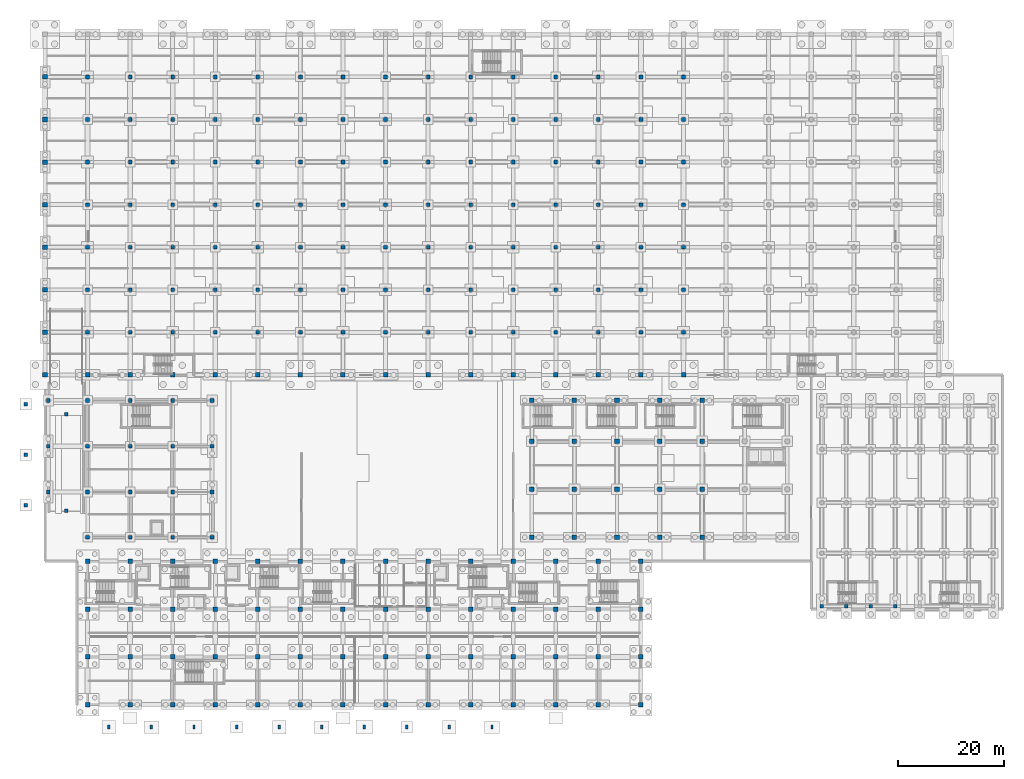
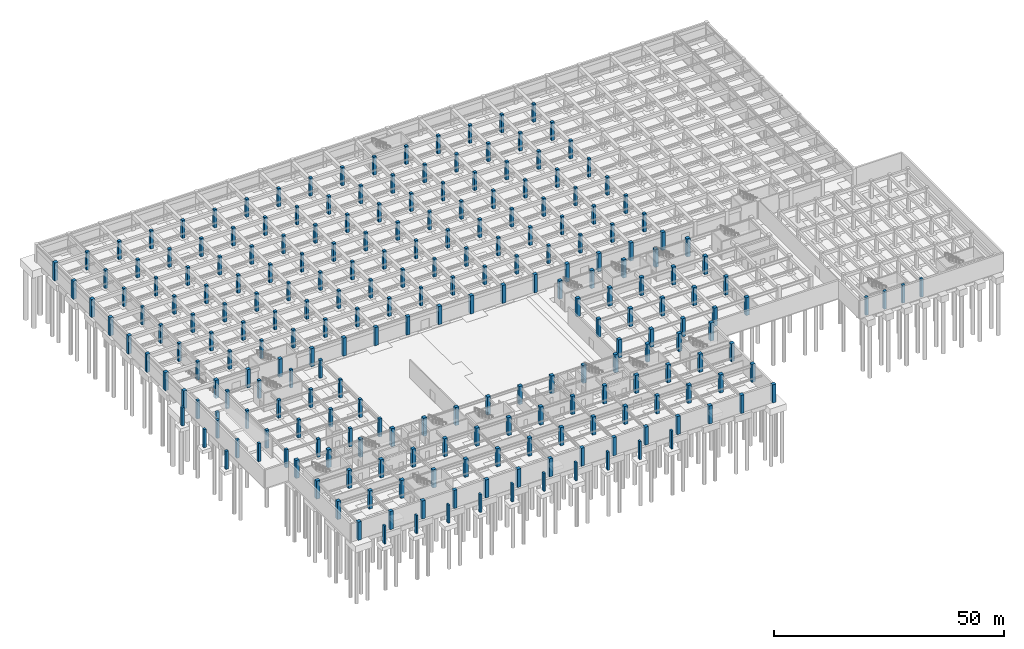
# One storey, part 17 of 48: 242 columns.
"""IFC4 building model written with IfcOpenShell, lengths in metres."""

from ifc_helpers import new_model, si_unit, direction, frame, origin, origin_2d, place, context, subcontext, project, spatial, rectangle, extrude, material, material_profile, profile_set, type_object, element, save


model = new_model("IFC4")

# Units and contexts
model_context = context("Model", 3, precision=1e-05, world=origin(), true_north=direction((0.0, 1.0)))
body_context = subcontext(model_context, "Body", "Model", "MODEL_VIEW")
ifc_project = project(units=[si_unit("LENGTHUNIT", "METRE"), si_unit("AREAUNIT", "SQUARE_METRE"), si_unit("VOLUMEUNIT", "CUBIC_METRE"), si_unit("PLANEANGLEUNIT", "RADIAN"), si_unit("MASSUNIT", "GRAM", prefix="KILO")], contexts=[model_context])

# Site, building, storey
site_placement = place(None, origin())
site = spatial("IfcSite", under=ifc_project, at=site_placement, CompositionType="ELEMENT")
building_placement = place(site_placement, origin())
building = spatial("IfcBuilding", under=site, at=building_placement, Name="Tlacozan Convention Centre", CompositionType="ELEMENT")
storey_placement = place(building_placement, frame((0.0, 0.0, -4.800048828125)))
storey = spatial("IfcBuildingStorey", under=building, at=storey_placement, Name="B01", CompositionType="ELEMENT", Elevation=-4.800048828125)

# Columns
ifc_material = material(Name="Concrete C40/50", Category="concrete")
ifc_material_profile_1 = material_profile(ifc_material, rectangle(XDim=0.64990234375, YDim=0.64990234375, at=origin_2d()), Name="RC 650x650")
ifc_profile_set_1 = profile_set([ifc_material_profile_1], Name="Concrete C40/50")
column_type_1 = type_object("IfcColumnType", Name="Column Square RC 650x650", PredefinedType="COLUMN", material=ifc_profile_set_1)
for number, where, z_axis, x_axis, name in (
    (1, (146.0, 18.5, 0.0), (0.0, 0.0, 1.0), (1.0, 0.0, 0.0), "B01 Column 721"),
    (2, (150.60009765625, 18.5, 0.0), (0.0, 0.0, 1.0), (1.0, 0.0, 0.0), "B01 Column 732"),
    (3, (155.199951171875, 18.5, 0.0), (0.0, 0.0, 1.0), (1.0, 0.0, 0.0), "B01 Column 756"),
    (4, (159.800048828125, 18.5, 0.0), (0.0, 0.0, 1.0), (1.0, 0.0, 0.0), "B01 Column 767"),
    (5, (4.0, 36.5, 0.0), (0.0, 0.0, 1.0), (1.0, 0.0, 0.0), "B01 Vehicle Ramp Top Support Pier"),
):
    element("IfcColumn", number, at=place(storey_placement, frame(where, z_axis=z_axis, x_axis=x_axis)), inside=storey, type_object=column_type_1, Name=name, PredefinedType="COLUMN", context=body_context, shape_type="SweptSolid", body=[
        extrude(rectangle(XDim=0.64990234375, YDim=0.64990234375, at=origin_2d()), origin(), (0.0, 0.0, 1.0), 4.800048828125),
    ])
column_placement = place(storey_placement, frame((4.0, 54.60009765625, 0.0), z_axis=(0.0, 0.0, 1.0), x_axis=(1.0, 0.0, 0.0)))
element("IfcColumn", 6, at=column_placement, inside=storey, type_object=column_type_1, Name="B01 Vehicle Ramp Mid-Landing Support Pier", PredefinedType="COLUMN", context=body_context, shape_type="SweptSolid", body=[
    extrude(rectangle(XDim=0.64990234375, YDim=0.64990234375, at=origin_2d()), origin(), (0.0, 0.0, 1.0), 2.150146484375),
])
for number, where, z_axis, x_axis, name in (
    (7, (-3.60009765625, 37.5, 0.0), (0.0, 0.0, 1.0), (1.0, 0.0, 0.0), "Dock Apron Pier 1"),
    (8, (-3.60009765625, 47.0, 0.0), (0.0, 0.0, 1.0), (1.0, 0.0, 0.0), "Dock Apron Pier 2"),
    (9, (-3.60009765625, 56.5, 0.0), (0.0, 0.0, 1.0), (1.0, 0.0, 0.0), "Dock Apron Pier 3"),
):
    element("IfcColumn", number, at=place(storey_placement, frame(where, z_axis=z_axis, x_axis=x_axis)), inside=storey, type_object=column_type_1, Name=name, PredefinedType="COLUMN", context=body_context, shape_type="SweptSolid", body=[
        extrude(rectangle(XDim=0.64990234375, YDim=0.64990234375, at=origin_2d()), origin(), (0.0, 0.0, 1.0), 4.800048828125),
    ])
ifc_material_profile_2 = material_profile(ifc_material, rectangle(XDim=0.699951171875, YDim=0.699951171875, at=origin_2d()), Name="RC 700x700")
ifc_profile_set_2 = profile_set([ifc_material_profile_2], Name="Concrete C40/50")
column_type_2 = type_object("IfcColumnType", Name="Column Square RC 700x700", PredefinedType="COLUMN", material=ifc_profile_set_2)
for number, where, z_axis, x_axis, name in (
    (10, (0.60009765625, 40.0, 0.0), (0.0, 0.0, 1.0), (1.0, 0.0, 0.0), "B01 Column 28"),
    (11, (0.60009765625, 48.60009765625, 0.0), (0.0, 0.0, 1.0), (1.0, 0.0, 0.0), "B01 Column 31"),
    (12, (0.60009765625, 57.199951171875, 0.0), (0.0, 0.0, 1.0), (1.0, 0.0, 0.0), "B01 Column 34"),
    (13, (8.0, 31.5, 0.0), (0.0, 0.0, 1.0), (1.0, 0.0, 0.0), "B01 Column 61"),
    (14, (8.0, 40.0, 0.0), (0.0, 0.0, 1.0), (1.0, 0.0, 0.0), "B01 Column 64"),
    (15, (8.0, 48.60009765625, 0.0), (0.0, 0.0, 1.0), (1.0, 0.0, 0.0), "B01 Column 67"),
    (16, (8.0, 57.199951171875, 0.0), (0.0, 0.0, 1.0), (1.0, 0.0, 0.0), "B01 Column 70"),
    (17, (8.0, 70.0, 0.0), (0.0, 0.0, 1.0), (1.0, 0.0, 0.0), "B01 Column 76"),
    (18, (8.0, 78.0, 0.0), (0.0, 0.0, 1.0), (1.0, 0.0, 0.0), "B01 Column 77"),
    (19, (8.0, 86.0, 0.0), (0.0, 0.0, 1.0), (1.0, 0.0, 0.0), "B01 Column 78"),
    (20, (8.0, 94.0, 0.0), (0.0, 0.0, 1.0), (1.0, 0.0, 0.0), "B01 Column 79"),
    (21, (8.0, 102.0, 0.0), (0.0, 0.0, 1.0), (1.0, 0.0, 0.0), "B01 Column 80"),
    (22, (8.0, 110.0, 0.0), (0.0, 0.0, 1.0), (1.0, 0.0, 0.0), "B01 Column 81"),
    (23, (8.0, 118.0, 0.0), (0.0, 0.0, 1.0), (1.0, 0.0, 0.0), "B01 Column 82"),
    (24, (16.0, 31.5, 0.0), (0.0, 0.0, 1.0), (1.0, 0.0, 0.0), "B01 Column 110"),
    (25, (16.0, 40.0, 0.0), (0.0, 0.0, 1.0), (1.0, 0.0, 0.0), "B01 Column 113"),
    (26, (16.0, 48.60009765625, 0.0), (0.0, 0.0, 1.0), (1.0, 0.0, 0.0), "B01 Column 116"),
    (27, (16.0, 57.199951171875, 0.0), (0.0, 0.0, 1.0), (1.0, 0.0, 0.0), "B01 Column 119"),
    (28, (16.0, 70.0, 0.0), (0.0, 0.0, 1.0), (1.0, 0.0, 0.0), "B01 Column 125"),
    (29, (16.0, 78.0, 0.0), (0.0, 0.0, 1.0), (1.0, 0.0, 0.0), "B01 Column 126"),
    (30, (16.0, 86.0, 0.0), (0.0, 0.0, 1.0), (1.0, 0.0, 0.0), "B01 Column 127"),
    (31, (16.0, 94.0, 0.0), (0.0, 0.0, 1.0), (1.0, 0.0, 0.0), "B01 Column 128"),
    (32, (16.0, 102.0, 0.0), (0.0, 0.0, 1.0), (1.0, 0.0, 0.0), "B01 Column 129"),
    (33, (16.0, 110.0, 0.0), (0.0, 0.0, 1.0), (1.0, 0.0, 0.0), "B01 Column 130"),
    (34, (16.0, 118.0, 0.0), (0.0, 0.0, 1.0), (1.0, 0.0, 0.0), "B01 Column 131"),
    (35, (24.0, 31.5, 0.0), (0.0, 0.0, 1.0), (1.0, 0.0, 0.0), "B01 Column 159"),
    (36, (24.0, 40.0, 0.0), (0.0, 0.0, 1.0), (1.0, 0.0, 0.0), "B01 Column 162"),
    (37, (24.0, 48.60009765625, 0.0), (0.0, 0.0, 1.0), (1.0, 0.0, 0.0), "B01 Column 165"),
    (38, (24.0, 57.199951171875, 0.0), (0.0, 0.0, 1.0), (1.0, 0.0, 0.0), "B01 Column 168"),
    (39, (24.0, 70.0, 0.0), (0.0, 0.0, 1.0), (1.0, 0.0, 0.0), "B01 Column 174"),
    (40, (24.0, 78.0, 0.0), (0.0, 0.0, 1.0), (1.0, 0.0, 0.0), "B01 Column 175"),
    (41, (24.0, 86.0, 0.0), (0.0, 0.0, 1.0), (1.0, 0.0, 0.0), "B01 Column 176"),
    (42, (24.0, 94.0, 0.0), (0.0, 0.0, 1.0), (1.0, 0.0, 0.0), "B01 Column 177"),
    (43, (24.0, 102.0, 0.0), (0.0, 0.0, 1.0), (1.0, 0.0, 0.0), "B01 Column 178"),
    (44, (24.0, 110.0, 0.0), (0.0, 0.0, 1.0), (1.0, 0.0, 0.0), "B01 Column 179"),
    (45, (24.0, 118.0, 0.0), (0.0, 0.0, 1.0), (1.0, 0.0, 0.0), "B01 Column 180"),
    (46, (31.39990234375, 31.5, 0.0), (0.0, 0.0, 1.0), (1.0, 0.0, 0.0), "B01 Column 184"),
    (47, (31.39990234375, 40.0, 0.0), (0.0, 0.0, 1.0), (1.0, 0.0, 0.0), "B01 Column 187"),
    (48, (31.39990234375, 48.60009765625, 0.0), (0.0, 0.0, 1.0), (1.0, 0.0, 0.0), "B01 Column 190"),
    (49, (31.39990234375, 57.199951171875, 0.0), (0.0, 0.0, 1.0), (1.0, 0.0, 0.0), "B01 Column 193"),
    (50, (32.0, 70.0, 0.0), (0.0, 0.0, 1.0), (1.0, 0.0, 0.0), "B01 Column 223"),
    (51, (32.0, 78.0, 0.0), (0.0, 0.0, 1.0), (1.0, 0.0, 0.0), "B01 Column 224"),
    (52, (32.0, 86.0, 0.0), (0.0, 0.0, 1.0), (1.0, 0.0, 0.0), "B01 Column 225"),
    (53, (32.0, 94.0, 0.0), (0.0, 0.0, 1.0), (1.0, 0.0, 0.0), "B01 Column 226"),
    (54, (32.0, 102.0, 0.0), (0.0, 0.0, 1.0), (1.0, 0.0, 0.0), "B01 Column 227"),
    (55, (32.0, 110.0, 0.0), (0.0, 0.0, 1.0), (1.0, 0.0, 0.0), "B01 Column 228"),
    (56, (32.0, 118.0, 0.0), (0.0, 0.0, 1.0), (1.0, 0.0, 0.0), "B01 Column 229"),
    (57, (40.0, 70.0, 0.0), (0.0, 0.0, 1.0), (1.0, 0.0, 0.0), "B01 Column 260"),
    (58, (40.0, 78.0, 0.0), (0.0, 0.0, 1.0), (1.0, 0.0, 0.0), "B01 Column 261"),
    (59, (40.0, 86.0, 0.0), (0.0, 0.0, 1.0), (1.0, 0.0, 0.0), "B01 Column 262"),
    (60, (40.0, 94.0, 0.0), (0.0, 0.0, 1.0), (1.0, 0.0, 0.0), "B01 Column 263"),
    (61, (40.0, 102.0, 0.0), (0.0, 0.0, 1.0), (1.0, 0.0, 0.0), "B01 Column 264"),
    (62, (40.0, 110.0, 0.0), (0.0, 0.0, 1.0), (1.0, 0.0, 0.0), "B01 Column 265"),
    (63, (40.0, 118.0, 0.0), (0.0, 0.0, 1.0), (1.0, 0.0, 0.0), "B01 Column 266"),
    (64, (48.0, 70.0, 0.0), (0.0, 0.0, 1.0), (1.0, 0.0, 0.0), "B01 Column 297"),
    (65, (48.0, 78.0, 0.0), (0.0, 0.0, 1.0), (1.0, 0.0, 0.0), "B01 Column 298"),
    (66, (48.0, 86.0, 0.0), (0.0, 0.0, 1.0), (1.0, 0.0, 0.0), "B01 Column 299"),
    (67, (48.0, 94.0, 0.0), (0.0, 0.0, 1.0), (1.0, 0.0, 0.0), "B01 Column 300"),
    (68, (48.0, 102.0, 0.0), (0.0, 0.0, 1.0), (1.0, 0.0, 0.0), "B01 Column 301"),
    (69, (48.0, 110.0, 0.0), (0.0, 0.0, 1.0), (1.0, 0.0, 0.0), "B01 Column 302"),
    (70, (48.0, 118.0, 0.0), (0.0, 0.0, 1.0), (1.0, 0.0, 0.0), "B01 Column 303"),
    (71, (56.0, 70.0, 0.0), (0.0, 0.0, 1.0), (1.0, 0.0, 0.0), "B01 Column 334"),
    (72, (56.0, 78.0, 0.0), (0.0, 0.0, 1.0), (1.0, 0.0, 0.0), "B01 Column 335"),
    (73, (56.0, 86.0, 0.0), (0.0, 0.0, 1.0), (1.0, 0.0, 0.0), "B01 Column 336"),
    (74, (56.0, 94.0, 0.0), (0.0, 0.0, 1.0), (1.0, 0.0, 0.0), "B01 Column 337"),
    (75, (56.0, 102.0, 0.0), (0.0, 0.0, 1.0), (1.0, 0.0, 0.0), "B01 Column 338"),
    (76, (56.0, 110.0, 0.0), (0.0, 0.0, 1.0), (1.0, 0.0, 0.0), "B01 Column 339"),
    (77, (56.0, 118.0, 0.0), (0.0, 0.0, 1.0), (1.0, 0.0, 0.0), "B01 Column 340"),
    (78, (64.0, 70.0, 0.0), (0.0, 0.0, 1.0), (1.0, 0.0, 0.0), "B01 Column 371"),
    (79, (64.0, 78.0, 0.0), (0.0, 0.0, 1.0), (1.0, 0.0, 0.0), "B01 Column 372"),
    (80, (64.0, 86.0, 0.0), (0.0, 0.0, 1.0), (1.0, 0.0, 0.0), "B01 Column 373"),
    (81, (64.0, 94.0, 0.0), (0.0, 0.0, 1.0), (1.0, 0.0, 0.0), "B01 Column 374"),
    (82, (64.0, 102.0, 0.0), (0.0, 0.0, 1.0), (1.0, 0.0, 0.0), "B01 Column 375"),
    (83, (64.0, 110.0, 0.0), (0.0, 0.0, 1.0), (1.0, 0.0, 0.0), "B01 Column 376"),
    (84, (64.0, 118.0, 0.0), (0.0, 0.0, 1.0), (1.0, 0.0, 0.0), "B01 Column 377"),
    (85, (72.0, 70.0, 0.0), (0.0, 0.0, 1.0), (1.0, 0.0, 0.0), "B01 Column 408"),
    (86, (72.0, 78.0, 0.0), (0.0, 0.0, 1.0), (1.0, 0.0, 0.0), "B01 Column 409"),
    (87, (72.0, 86.0, 0.0), (0.0, 0.0, 1.0), (1.0, 0.0, 0.0), "B01 Column 410"),
    (88, (72.0, 94.0, 0.0), (0.0, 0.0, 1.0), (1.0, 0.0, 0.0), "B01 Column 411"),
    (89, (72.0, 102.0, 0.0), (0.0, 0.0, 1.0), (1.0, 0.0, 0.0), "B01 Column 412"),
    (90, (72.0, 110.0, 0.0), (0.0, 0.0, 1.0), (1.0, 0.0, 0.0), "B01 Column 413"),
    (91, (72.0, 118.0, 0.0), (0.0, 0.0, 1.0), (1.0, 0.0, 0.0), "B01 Column 414"),
    (92, (80.0, 70.0, 0.0), (0.0, 0.0, 1.0), (1.0, 0.0, 0.0), "B01 Column 445"),
    (93, (80.0, 78.0, 0.0), (0.0, 0.0, 1.0), (1.0, 0.0, 0.0), "B01 Column 446"),
    (94, (80.0, 86.0, 0.0), (0.0, 0.0, 1.0), (1.0, 0.0, 0.0), "B01 Column 447"),
    (95, (80.0, 94.0, 0.0), (0.0, 0.0, 1.0), (1.0, 0.0, 0.0), "B01 Column 448"),
    (96, (80.0, 102.0, 0.0), (0.0, 0.0, 1.0), (1.0, 0.0, 0.0), "B01 Column 449"),
    (97, (80.0, 110.0, 0.0), (0.0, 0.0, 1.0), (1.0, 0.0, 0.0), "B01 Column 450"),
    (98, (80.0, 118.0, 0.0), (0.0, 0.0, 1.0), (1.0, 0.0, 0.0), "B01 Column 451"),
    (99, (88.0, 70.0, 0.0), (0.0, 0.0, 1.0), (1.0, 0.0, 0.0), "B01 Column 482"),
    (100, (88.0, 78.0, 0.0), (0.0, 0.0, 1.0), (1.0, 0.0, 0.0), "B01 Column 483"),
    (101, (88.0, 86.0, 0.0), (0.0, 0.0, 1.0), (1.0, 0.0, 0.0), "B01 Column 484"),
    (102, (88.0, 94.0, 0.0), (0.0, 0.0, 1.0), (1.0, 0.0, 0.0), "B01 Column 485"),
    (103, (88.0, 102.0, 0.0), (0.0, 0.0, 1.0), (1.0, 0.0, 0.0), "B01 Column 486"),
    (104, (88.0, 110.0, 0.0), (0.0, 0.0, 1.0), (1.0, 0.0, 0.0), "B01 Column 487"),
    (105, (88.0, 118.0, 0.0), (0.0, 0.0, 1.0), (1.0, 0.0, 0.0), "B01 Column 488"),
    (106, (96.0, 70.0, 0.0), (0.0, 0.0, 1.0), (1.0, 0.0, 0.0), "B01 Column 531"),
    (107, (96.0, 78.0, 0.0), (0.0, 0.0, 1.0), (1.0, 0.0, 0.0), "B01 Column 532"),
    (108, (96.0, 86.0, 0.0), (0.0, 0.0, 1.0), (1.0, 0.0, 0.0), "B01 Column 533"),
    (109, (96.0, 94.0, 0.0), (0.0, 0.0, 1.0), (1.0, 0.0, 0.0), "B01 Column 534"),
    (110, (96.0, 102.0, 0.0), (0.0, 0.0, 1.0), (1.0, 0.0, 0.0), "B01 Column 535"),
    (111, (96.0, 110.0, 0.0), (0.0, 0.0, 1.0), (1.0, 0.0, 0.0), "B01 Column 536"),
    (112, (96.0, 118.0, 0.0), (0.0, 0.0, 1.0), (1.0, 0.0, 0.0), "B01 Column 537"),
    (113, (104.0, 70.0, 0.0), (0.0, 0.0, 1.0), (1.0, 0.0, 0.0), "B01 Column 574"),
    (114, (104.0, 78.0, 0.0), (0.0, 0.0, 1.0), (1.0, 0.0, 0.0), "B01 Column 575"),
    (115, (104.0, 86.0, 0.0), (0.0, 0.0, 1.0), (1.0, 0.0, 0.0), "B01 Column 576"),
    (116, (104.0, 94.0, 0.0), (0.0, 0.0, 1.0), (1.0, 0.0, 0.0), "B01 Column 577"),
    (117, (104.0, 102.0, 0.0), (0.0, 0.0, 1.0), (1.0, 0.0, 0.0), "B01 Column 578"),
    (118, (104.0, 110.0, 0.0), (0.0, 0.0, 1.0), (1.0, 0.0, 0.0), "B01 Column 579"),
    (119, (104.0, 118.0, 0.0), (0.0, 0.0, 1.0), (1.0, 0.0, 0.0), "B01 Column 580"),
    (120, (112.0, 70.0, 0.0), (0.0, 0.0, 1.0), (1.0, 0.0, 0.0), "B01 Column 617"),
    (121, (112.0, 78.0, 0.0), (0.0, 0.0, 1.0), (1.0, 0.0, 0.0), "B01 Column 618"),
    (122, (112.0, 86.0, 0.0), (0.0, 0.0, 1.0), (1.0, 0.0, 0.0), "B01 Column 619"),
    (123, (112.0, 94.0, 0.0), (0.0, 0.0, 1.0), (1.0, 0.0, 0.0), "B01 Column 620"),
    (124, (112.0, 102.0, 0.0), (0.0, 0.0, 1.0), (1.0, 0.0, 0.0), "B01 Column 621"),
    (125, (112.0, 110.0, 0.0), (0.0, 0.0, 1.0), (1.0, 0.0, 0.0), "B01 Column 622"),
    (126, (112.0, 118.0, 0.0), (0.0, 0.0, 1.0), (1.0, 0.0, 0.0), "B01 Column 623"),
    (127, (120.0, 70.0, 0.0), (0.0, 0.0, 1.0), (1.0, 0.0, 0.0), "B01 Column 640"),
    (128, (120.0, 78.0, 0.0), (0.0, 0.0, 1.0), (1.0, 0.0, 0.0), "B01 Column 641"),
    (129, (120.0, 86.0, 0.0), (0.0, 0.0, 1.0), (1.0, 0.0, 0.0), "B01 Column 642"),
    (130, (120.0, 94.0, 0.0), (0.0, 0.0, 1.0), (1.0, 0.0, 0.0), "B01 Column 643"),
    (131, (120.0, 102.0, 0.0), (0.0, 0.0, 1.0), (1.0, 0.0, 0.0), "B01 Column 644"),
    (132, (120.0, 110.0, 0.0), (0.0, 0.0, 1.0), (1.0, 0.0, 0.0), "B01 Column 645"),
    (133, (120.0, 118.0, 0.0), (0.0, 0.0, 1.0), (1.0, 0.0, 0.0), "B01 Column 646"),
):
    element("IfcColumn", number, at=place(storey_placement, frame(where, z_axis=z_axis, x_axis=x_axis)), inside=storey, type_object=column_type_2, Name=name, PredefinedType="COLUMN", context=body_context, shape_type="SweptSolid", body=[
        extrude(rectangle(XDim=0.699951171875, YDim=0.699951171875, at=origin_2d()), origin(), (0.0, 0.0, 1.0), 4.800048828125),
    ])
ifc_material_profile_3 = material_profile(ifc_material, rectangle(XDim=0.85009765625, YDim=0.85009765625, at=origin_2d()), Name="RC 850x850")
ifc_profile_set_3 = profile_set([ifc_material_profile_3], Name="Concrete C40/50")
column_type_3 = type_object("IfcColumnType", Name="Column Square RC 850x850", PredefinedType="COLUMN", material=ifc_profile_set_3)
for number, where, z_axis, x_axis, name in (
    (134, (0.0, 62.0, 0.0), (0.0, 0.0, 1.0), (1.0, 0.0, 0.0), "B01 Column 1"),
    (135, (0.0, 70.0, 0.0), (0.0, 0.0, 1.0), (1.0, 0.0, 0.0), "B01 Column 4"),
    (136, (0.0, 78.0, 0.0), (0.0, 0.0, 1.0), (1.0, 0.0, 0.0), "B01 Column 7"),
    (137, (0.0, 86.0, 0.0), (0.0, 0.0, 1.0), (1.0, 0.0, 0.0), "B01 Column 10"),
    (138, (0.0, 94.0, 0.0), (0.0, 0.0, 1.0), (1.0, 0.0, 0.0), "B01 Column 13"),
    (139, (0.0, 102.0, 0.0), (0.0, 0.0, 1.0), (1.0, 0.0, 0.0), "B01 Column 16"),
    (140, (0.0, 110.0, 0.0), (0.0, 0.0, 1.0), (1.0, 0.0, 0.0), "B01 Column 19"),
    (141, (0.0, 118.0, 0.0), (0.0, 0.0, 1.0), (1.0, 0.0, 0.0), "B01 Column 22"),
    (142, (8.0, 0.0, 0.0), (0.0, 0.0, 1.0), (1.0, 0.0, 0.0), "B01 Column 37"),
    (143, (8.0, 9.0, 0.0), (0.0, 0.0, 1.0), (1.0, 0.0, 0.0), "B01 Column 43"),
    (144, (8.0, 18.0, 0.0), (0.0, 0.0, 1.0), (1.0, 0.0, 0.0), "B01 Column 49"),
    (145, (8.0, 27.0, 0.0), (0.0, 0.0, 1.0), (1.0, 0.0, 0.0), "B01 Column 55"),
    (146, (8.0, 62.0, 0.0), (0.0, 0.0, 1.0), (1.0, 0.0, 0.0), "B01 Column 73"),
    (147, (16.0, 0.0, 0.0), (0.0, 0.0, 1.0), (1.0, 0.0, 0.0), "B01 Column 86"),
    (148, (16.0, 9.0, 0.0), (0.0, 0.0, 1.0), (1.0, 0.0, 0.0), "B01 Column 92"),
    (149, (16.0, 18.0, 0.0), (0.0, 0.0, 1.0), (1.0, 0.0, 0.0), "B01 Column 98"),
    (150, (16.0, 27.0, 0.0), (0.0, 0.0, 1.0), (1.0, 0.0, 0.0), "B01 Column 104"),
    (151, (16.0, 62.0, 0.0), (0.0, 0.0, 1.0), (1.0, 0.0, 0.0), "B01 Column 122"),
    (152, (24.0, 0.0, 0.0), (0.0, 0.0, 1.0), (1.0, 0.0, 0.0), "B01 Column 135"),
    (153, (24.0, 9.0, 0.0), (0.0, 0.0, 1.0), (1.0, 0.0, 0.0), "B01 Column 141"),
    (154, (24.0, 18.0, 0.0), (0.0, 0.0, 1.0), (1.0, 0.0, 0.0), "B01 Column 147"),
    (155, (24.0, 27.0, 0.0), (0.0, 0.0, 1.0), (1.0, 0.0, 0.0), "B01 Column 153"),
    (156, (24.0, 62.0, 0.0), (0.0, 0.0, 1.0), (1.0, 0.0, 0.0), "B01 Column 171"),
    (157, (32.0, 0.0, 0.0), (0.0, 0.0, 1.0), (1.0, 0.0, 0.0), "B01 Column 196"),
    (158, (32.0, 9.0, 0.0), (0.0, 0.0, 1.0), (1.0, 0.0, 0.0), "B01 Column 202"),
    (159, (32.0, 18.0, 0.0), (0.0, 0.0, 1.0), (1.0, 0.0, 0.0), "B01 Column 208"),
    (160, (32.0, 27.0, 0.0), (0.0, 0.0, 1.0), (1.0, 0.0, 0.0), "B01 Column 214"),
    (161, (32.0, 62.0, 0.0), (0.0, 0.0, 1.0), (1.0, 0.0, 0.0), "B01 Column 220"),
    (162, (40.0, 0.0, 0.0), (0.0, 0.0, 1.0), (1.0, 0.0, 0.0), "B01 Column 233"),
    (163, (40.0, 9.0, 0.0), (0.0, 0.0, 1.0), (1.0, 0.0, 0.0), "B01 Column 239"),
    (164, (40.0, 18.0, 0.0), (0.0, 0.0, 1.0), (1.0, 0.0, 0.0), "B01 Column 245"),
    (165, (40.0, 27.0, 0.0), (0.0, 0.0, 1.0), (1.0, 0.0, 0.0), "B01 Column 251"),
    (166, (40.0, 62.0, 0.0), (0.0, 0.0, 1.0), (1.0, 0.0, 0.0), "B01 Column 257"),
    (167, (48.0, 0.0, 0.0), (0.0, 0.0, 1.0), (1.0, 0.0, 0.0), "B01 Column 270"),
    (168, (48.0, 9.0, 0.0), (0.0, 0.0, 1.0), (1.0, 0.0, 0.0), "B01 Column 276"),
    (169, (48.0, 18.0, 0.0), (0.0, 0.0, 1.0), (1.0, 0.0, 0.0), "B01 Column 282"),
    (170, (48.0, 27.0, 0.0), (0.0, 0.0, 1.0), (1.0, 0.0, 0.0), "B01 Column 288"),
    (171, (48.0, 62.0, 0.0), (0.0, 0.0, 1.0), (1.0, 0.0, 0.0), "B01 Column 294"),
    (172, (56.0, 0.0, 0.0), (0.0, 0.0, 1.0), (1.0, 0.0, 0.0), "B01 Column 307"),
    (173, (56.0, 9.0, 0.0), (0.0, 0.0, 1.0), (1.0, 0.0, 0.0), "B01 Column 313"),
    (174, (56.0, 18.0, 0.0), (0.0, 0.0, 1.0), (1.0, 0.0, 0.0), "B01 Column 319"),
    (175, (56.0, 27.0, 0.0), (0.0, 0.0, 1.0), (1.0, 0.0, 0.0), "B01 Column 325"),
    (176, (56.0, 62.0, 0.0), (0.0, 0.0, 1.0), (1.0, 0.0, 0.0), "B01 Column 331"),
    (177, (64.0, 0.0, 0.0), (0.0, 0.0, 1.0), (1.0, 0.0, 0.0), "B01 Column 344"),
    (178, (64.0, 9.0, 0.0), (0.0, 0.0, 1.0), (1.0, 0.0, 0.0), "B01 Column 350"),
    (179, (64.0, 18.0, 0.0), (0.0, 0.0, 1.0), (1.0, 0.0, 0.0), "B01 Column 356"),
    (180, (64.0, 27.0, 0.0), (0.0, 0.0, 1.0), (1.0, 0.0, 0.0), "B01 Column 362"),
    (181, (64.0, 62.0, 0.0), (0.0, 0.0, 1.0), (1.0, 0.0, 0.0), "B01 Column 368"),
    (182, (72.0, 0.0, 0.0), (0.0, 0.0, 1.0), (1.0, 0.0, 0.0), "B01 Column 381"),
    (183, (72.0, 9.0, 0.0), (0.0, 0.0, 1.0), (1.0, 0.0, 0.0), "B01 Column 387"),
    (184, (72.0, 18.0, 0.0), (0.0, 0.0, 1.0), (1.0, 0.0, 0.0), "B01 Column 393"),
    (185, (72.0, 27.0, 0.0), (0.0, 0.0, 1.0), (1.0, 0.0, 0.0), "B01 Column 399"),
    (186, (72.0, 62.0, 0.0), (0.0, 0.0, 1.0), (1.0, 0.0, 0.0), "B01 Column 405"),
    (187, (80.0, 0.0, 0.0), (0.0, 0.0, 1.0), (1.0, 0.0, 0.0), "B01 Column 418"),
    (188, (80.0, 9.0, 0.0), (0.0, 0.0, 1.0), (1.0, 0.0, 0.0), "B01 Column 424"),
    (189, (80.0, 18.0, 0.0), (0.0, 0.0, 1.0), (1.0, 0.0, 0.0), "B01 Column 430"),
    (190, (80.0, 27.0, 0.0), (0.0, 0.0, 1.0), (1.0, 0.0, 0.0), "B01 Column 436"),
    (191, (80.0, 62.0, 0.0), (0.0, 0.0, 1.0), (1.0, 0.0, 0.0), "B01 Column 442"),
    (192, (88.0, 0.0, 0.0), (0.0, 0.0, 1.0), (1.0, 0.0, 0.0), "B01 Column 455"),
    (193, (88.0, 9.0, 0.0), (0.0, 0.0, 1.0), (1.0, 0.0, 0.0), "B01 Column 461"),
    (194, (88.0, 18.0, 0.0), (0.0, 0.0, 1.0), (1.0, 0.0, 0.0), "B01 Column 467"),
    (195, (88.0, 27.0, 0.0), (0.0, 0.0, 1.0), (1.0, 0.0, 0.0), "B01 Column 473"),
    (196, (88.0, 62.0, 0.0), (0.0, 0.0, 1.0), (1.0, 0.0, 0.0), "B01 Column 479"),
    (197, (91.5, 31.5, 0.0), (0.0, 0.0, 1.0), (1.0, 0.0, 0.0), "B01 Column 492"),
    (198, (91.5, 40.5, 0.0), (0.0, 0.0, 1.0), (1.0, 0.0, 0.0), "B01 Column 496"),
    (199, (91.5, 49.5, 0.0), (0.0, 0.0, 1.0), (1.0, 0.0, 0.0), "B01 Column 498"),
    (200, (91.5, 57.199951171875, 0.0), (0.0, 0.0, 1.0), (1.0, 0.0, 0.0), "B01 Column 500"),
    (201, (96.0, 0.0, 0.0), (0.0, 0.0, 1.0), (1.0, 0.0, 0.0), "B01 Column 504"),
    (202, (96.0, 9.0, 0.0), (0.0, 0.0, 1.0), (1.0, 0.0, 0.0), "B01 Column 510"),
    (203, (96.0, 18.0, 0.0), (0.0, 0.0, 1.0), (1.0, 0.0, 0.0), "B01 Column 516"),
    (204, (96.0, 27.0, 0.0), (0.0, 0.0, 1.0), (1.0, 0.0, 0.0), "B01 Column 522"),
    (205, (96.0, 62.0, 0.0), (0.0, 0.0, 1.0), (1.0, 0.0, 0.0), "B01 Column 528"),
    (206, (99.5, 31.5, 0.0), (0.0, 0.0, 1.0), (1.0, 0.0, 0.0), "B01 Column 541"),
    (207, (99.5, 40.5, 0.0), (0.0, 0.0, 1.0), (1.0, 0.0, 0.0), "B01 Column 545"),
    (208, (99.5, 49.5, 0.0), (0.0, 0.0, 1.0), (1.0, 0.0, 0.0), "B01 Column 546"),
    (209, (99.5, 57.199951171875, 0.0), (0.0, 0.0, 1.0), (1.0, 0.0, 0.0), "B01 Column 547"),
    (210, (104.0, 0.0, 0.0), (0.0, 0.0, 1.0), (1.0, 0.0, 0.0), "B01 Column 551"),
    (211, (104.0, 9.0, 0.0), (0.0, 0.0, 1.0), (1.0, 0.0, 0.0), "B01 Column 556"),
    (212, (104.0, 18.0, 0.0), (0.0, 0.0, 1.0), (1.0, 0.0, 0.0), "B01 Column 561"),
    (213, (104.0, 27.0, 0.0), (0.0, 0.0, 1.0), (1.0, 0.0, 0.0), "B01 Column 566"),
    (214, (104.0, 62.0, 0.0), (0.0, 0.0, 1.0), (1.0, 0.0, 0.0), "B01 Column 571"),
    (215, (107.5, 31.5, 0.0), (0.0, 0.0, 1.0), (1.0, 0.0, 0.0), "B01 Column 584"),
    (216, (107.5, 40.5, 0.0), (0.0, 0.0, 1.0), (1.0, 0.0, 0.0), "B01 Column 588"),
    (217, (107.5, 49.5, 0.0), (0.0, 0.0, 1.0), (1.0, 0.0, 0.0), "B01 Column 589"),
    (218, (107.5, 57.199951171875, 0.0), (0.0, 0.0, 1.0), (1.0, 0.0, 0.0), "B01 Column 590"),
    (219, (112.0, 0.0, 0.0), (0.0, 0.0, 1.0), (1.0, 0.0, 0.0), "B01 Column 594"),
    (220, (112.0, 9.0, 0.0), (0.0, 0.0, 1.0), (1.0, 0.0, 0.0), "B01 Column 599"),
    (221, (112.0, 18.0, 0.0), (0.0, 0.0, 1.0), (1.0, 0.0, 0.0), "B01 Column 604"),
    (222, (112.0, 27.0, 0.0), (0.0, 0.0, 1.0), (1.0, 0.0, 0.0), "B01 Column 609"),
    (223, (112.0, 62.0, 0.0), (0.0, 0.0, 1.0), (1.0, 0.0, 0.0), "B01 Column 614"),
    (224, (115.5, 31.5, 0.0), (0.0, 0.0, 1.0), (1.0, 0.0, 0.0), "B01 Column 627"),
    (225, (115.5, 40.5, 0.0), (0.0, 0.0, 1.0), (1.0, 0.0, 0.0), "B01 Column 631"),
    (226, (115.5, 49.5, 0.0), (0.0, 0.0, 1.0), (1.0, 0.0, 0.0), "B01 Column 632"),
    (227, (115.5, 57.199951171875, 0.0), (0.0, 0.0, 1.0), (1.0, 0.0, 0.0), "B01 Column 633"),
    (228, (120.0, 62.0, 0.0), (0.0, 0.0, 1.0), (1.0, 0.0, 0.0), "B01 Column 637"),
    (229, (123.5, 31.5, 0.0), (0.0, 0.0, 1.0), (1.0, 0.0, 0.0), "B01 Column 650"),
    (230, (123.5, 40.5, 0.0), (0.0, 0.0, 1.0), (1.0, 0.0, 0.0), "B01 Column 654"),
    (231, (123.5, 49.5, 0.0), (0.0, 0.0, 1.0), (1.0, 0.0, 0.0), "B01 Column 655"),
    (232, (123.5, 57.199951171875, 0.0), (0.0, 0.0, 1.0), (1.0, 0.0, 0.0), "B01 Column 656"),
):
    element("IfcColumn", number, at=place(storey_placement, frame(where, z_axis=z_axis, x_axis=x_axis)), inside=storey, type_object=column_type_3, Name=name, PredefinedType="COLUMN", context=body_context, shape_type="SweptSolid", body=[
        extrude(rectangle(XDim=0.85009765625, YDim=0.85009765625, at=origin_2d()), origin(), (0.0, 0.0, 1.0), 4.800048828125),
    ])
ifc_material_profile_4 = material_profile(ifc_material, rectangle(XDim=0.449951171875, YDim=0.75, at=origin_2d()), Name="RC 450x750")
ifc_profile_set_4 = profile_set([ifc_material_profile_4], Name="Concrete C40/50")
column_type_4 = type_object("IfcColumnType", Name="Pilaster Cloister RC 450x750", PredefinedType="PILASTER", material=ifc_profile_set_4)
for number, where, z_axis, x_axis, name in (
    (233, (12.0, -4.199951171875, 0.0), (0.0, 0.0, 1.0), (1.0, 0.0, 0.0), "Promenade Substructure Pier 1"),
    (234, (20.0, -4.199951171875, 0.0), (0.0, 0.0, 1.0), (1.0, 0.0, 0.0), "Promenade Substructure Pier 2"),
    (235, (28.0, -4.199951171875, 0.0), (0.0, 0.0, 1.0), (1.0, 0.0, 0.0), "Promenade Substructure Pier 3"),
    (236, (36.0, -4.199951171875, 0.0), (0.0, 0.0, 1.0), (1.0, 0.0, 0.0), "Promenade Substructure Pier 4"),
    (237, (44.0, -4.199951171875, 0.0), (0.0, 0.0, 1.0), (1.0, 0.0, 0.0), "Promenade Substructure Pier 5"),
    (238, (52.0, -4.199951171875, 0.0), (0.0, 0.0, 1.0), (1.0, 0.0, 0.0), "Promenade Substructure Pier 6"),
    (239, (60.0, -4.199951171875, 0.0), (0.0, 0.0, 1.0), (1.0, 0.0, 0.0), "Promenade Substructure Pier 7"),
    (240, (68.0, -4.199951171875, 0.0), (0.0, 0.0, 1.0), (1.0, 0.0, 0.0), "Promenade Substructure Pier 8"),
    (241, (76.0, -4.199951171875, 0.0), (0.0, 0.0, 1.0), (1.0, 0.0, 0.0), "Promenade Substructure Pier 9"),
    (242, (84.0, -4.199951171875, 0.0), (0.0, 0.0, 1.0), (1.0, 0.0, 0.0), "Promenade Substructure Pier 10"),
):
    element("IfcColumn", number, at=place(storey_placement, frame(where, z_axis=z_axis, x_axis=x_axis)), inside=storey, type_object=column_type_4, Name=name, PredefinedType="PILASTER", context=body_context, shape_type="SweptSolid", body=[
        extrude(rectangle(XDim=0.449951171875, YDim=0.75, at=origin_2d()), origin(), (0.0, 0.0, 1.0), 4.800048828125),
    ])

save(model, "model.ifc")
